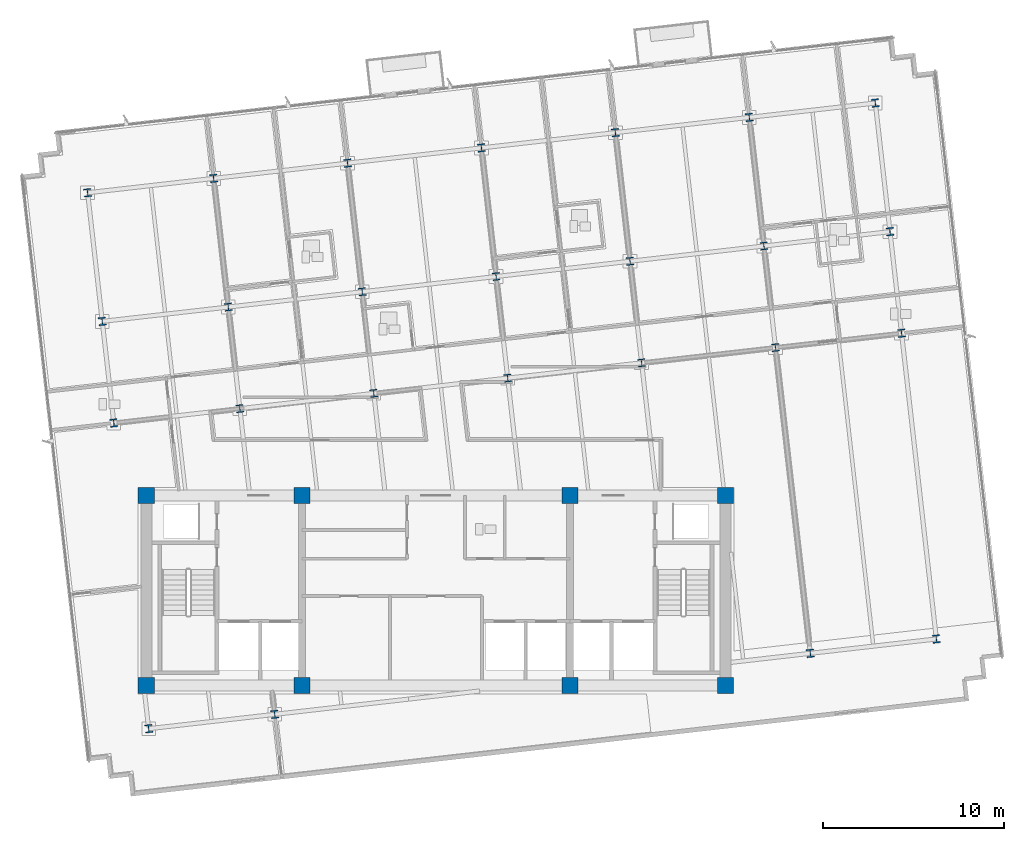
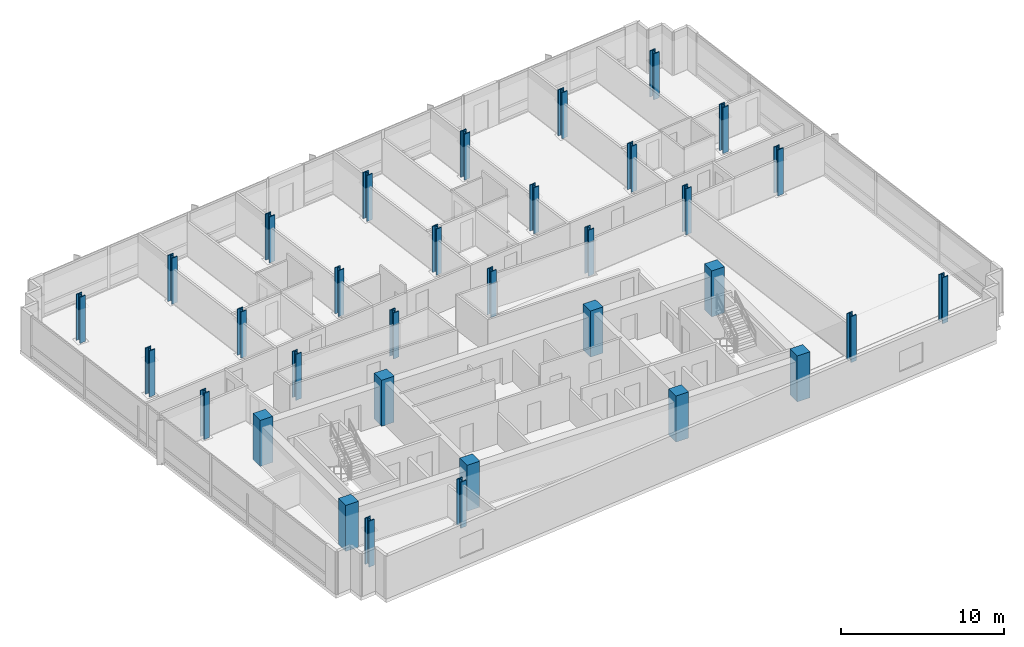
# One storey, part 1 of 16: 33 columns.
"""IFC4 building model written with IfcOpenShell, lengths in metres."""

from ifc_helpers import new_model, si_unit, direction, frame, origin, origin_2d, place, context, subcontext, project, spatial, rectangle, i_section, extrude, material, material_profile, profile_set, type_object, element, save


model = new_model("IFC4")

# Units and contexts
model_context = context("Model", 3, precision=1e-05, world=origin(), true_north=direction((0.0, 1.0)))
body_context = subcontext(model_context, "Body", "Model", "MODEL_VIEW")
ifc_project = project(units=[si_unit("LENGTHUNIT", "METRE"), si_unit("AREAUNIT", "SQUARE_METRE"), si_unit("VOLUMEUNIT", "CUBIC_METRE"), si_unit("PLANEANGLEUNIT", "RADIAN"), si_unit("MASSUNIT", "GRAM", prefix="KILO")], contexts=[model_context])

# Site, building, storey
site_placement = place(None, origin())
site = spatial("IfcSite", under=ifc_project, at=site_placement, CompositionType="ELEMENT")
building_placement = place(site_placement, origin())
building = spatial("IfcBuilding", under=site, at=building_placement, Name="Solmavex Isthmus Hotel", CompositionType="ELEMENT")
storey_placement = place(building_placement, frame((0.0, 0.0, 205.5)))
storey = spatial("IfcBuildingStorey", under=building, at=storey_placement, Name="L55", CompositionType="ELEMENT", Elevation=205.5)

# Columns
ifc_material_1 = material(Name="Concrete C50/60", Category="concrete")
ifc_material_profile_1 = material_profile(ifc_material_1, rectangle(XDim=0.89990234375, YDim=0.89990234375, at=origin_2d()), Name="RC900X900")
ifc_profile_set_1 = profile_set([ifc_material_profile_1], Name="Concrete C50/60")
column_type_1 = type_object("IfcColumnType", Name="COL-CC-900", PredefinedType="COLUMN", material=ifc_profile_set_1)
for number, where, z_axis, x_axis, name in (
    (1, (-16.0, -13.0, 0.0), (0.0, 0.0, 1.0), (1.0, 0.0, 0.0), "Core Pilaster CC-SW L55"),
    (2, (-7.39990234375, -13.0, 0.0), (0.0, 0.0, 1.0), (1.0, 0.0, 0.0), "Core Pilaster CC-S1 L55"),
    (3, (7.39990234375, -13.0, 0.0), (0.0, 0.0, 1.0), (1.0, 0.0, 0.0), "Core Pilaster CC-S2 L55"),
    (4, (16.0, -13.0, 0.0), (0.0, 0.0, 1.0), (1.0, 0.0, 0.0), "Core Pilaster CC-SE L55"),
    (5, (-16.0, -2.5, 0.0), (0.0, 0.0, 1.0), (1.0, 0.0, 0.0), "Core Pilaster CC-NW L55"),
    (6, (-7.39990234375, -2.5, 0.0), (0.0, 0.0, 1.0), (1.0, 0.0, 0.0), "Core Pilaster CC-N1 L55"),
    (7, (7.39990234375, -2.5, 0.0), (0.0, 0.0, 1.0), (1.0, 0.0, 0.0), "Core Pilaster CC-N2 L55"),
    (8, (16.0, -2.5, 0.0), (0.0, 0.0, 1.0), (1.0, 0.0, 0.0), "Core Pilaster CC-NE L55"),
):
    element("IfcColumn", number, at=place(storey_placement, frame(where, z_axis=z_axis, x_axis=x_axis)), inside=storey, type_object=column_type_1, Name=name, PredefinedType="COLUMN", context=body_context, shape_type="SweptSolid", body=[
        extrude(rectangle(XDim=0.89990234375, YDim=0.89990234375, at=origin_2d()), origin(), (0.0, 0.0, 1.0), 3.449951171875),
    ])
ifc_material_2 = material(Name="Steel ASTM A913 Grade 65", Category="steel")
ifc_material_profile_2 = material_profile(ifc_material_2, i_section(OverallWidth=0.412109375, OverallDepth=0.434814453125, WebThickness=0.035888671875, FlangeThickness=0.057373046875, FilletRadius=0.030517578125, at=origin_2d()), Name="W14X311")
ifc_profile_set_2 = profile_set([ifc_material_profile_2], Name="Steel ASTM A913 Grade 65")
column_type_2 = type_object("IfcColumnType", Name="COL-SC-W14X311", PredefinedType="COLUMN", material=ifc_profile_set_2)
for number, where, z_axis, x_axis, name in (
    (9, (-10.833984375, 2.30078125, 0.0), (0.0, 0.0, 1.0), (0.993571855677, 0.113203213768, 0.0), "Tower Column B4-U2V2 L55"),
    (10, (-11.473388671875, 7.912353515625, 0.0), (0.0, 0.0, 1.0), (0.993571855677, 0.113203213768, 0.0), "Tower Column B4-U2V3 L55"),
    (11, (-3.435791015625, 3.1435546875, 0.0), (0.0, 0.0, 1.0), (0.993571855677, 0.113203213768, 0.0), "Tower Column B4-U3V2 L55"),
    (12, (-4.0751953125, 8.75537109375, 0.0), (0.0, 0.0, 1.0), (0.993571855677, 0.113203213768, 0.0), "Tower Column B4-U3V3 L55"),
    (13, (3.962158203125, 3.986572265625, 0.0), (0.0, 0.0, 1.0), (0.993571855677, 0.113203213768, 0.0), "Tower Column B4-U4V2 L55"),
    (14, (3.322998046875, 9.59814453125, 0.0), (0.0, 0.0, 1.0), (0.993571855677, 0.113203213768, 0.0), "Tower Column B4-U4V3 L55"),
    (15, (11.3603515625, 4.829345703125, 0.0), (0.0, 0.0, 1.0), (0.993571855677, 0.113203213768, 0.0), "Tower Column B4-U5V2 L55"),
    (16, (10.720947265625, 10.441162109375, 0.0), (0.0, 0.0, 1.0), (0.993571855677, 0.113203213768, 0.0), "Tower Column B4-U5V3 L55"),
    (17, (18.758544921875, 5.67236328125, 0.0), (0.0, 0.0, 1.0), (0.993571855677, 0.113203213768, 0.0), "Tower Column B4-U6V2 L55"),
    (18, (18.119140625, 11.283935546875, 0.0), (0.0, 0.0, 1.0), (0.993571855677, 0.113203213768, 0.0), "Tower Column B4-U6V3 L55"),
):
    element("IfcColumn", number, at=place(storey_placement, frame(where, z_axis=z_axis, x_axis=x_axis)), inside=storey, type_object=column_type_2, Name=name, PredefinedType="COLUMN", context=body_context, shape_type="SweptSolid", body=[
        extrude(i_section(OverallWidth=0.412109375, OverallDepth=0.434814453125, WebThickness=0.035888671875, FlangeThickness=0.057373046875, FilletRadius=0.030517578125, at=origin_2d()), origin(), (0.0, 0.0, 1.0), 3.449951171875),
    ])
ifc_material_profile_3 = material_profile(ifc_material_2, i_section(OverallWidth=0.41845703125, OverallDepth=0.455078125, WebThickness=0.0419921875, FlangeThickness=0.067626953125, FilletRadius=0.030517578125, at=origin_2d()), Name="W14X370")
ifc_profile_set_3 = profile_set([ifc_material_profile_3], Name="Steel ASTM A913 Grade 65")
column_type_3 = type_object("IfcColumnType", Name="COL-SC-W14X370", PredefinedType="COLUMN", material=ifc_profile_set_3)
for number, where, z_axis, x_axis, name in (
    (19, (-15.87255859375, -15.38330078125, 0.0), (0.0, 0.0, 1.0), (0.993571855677, 0.113203213768, 0.0), "Tower Column B4-U1V1 L55"),
    (20, (-17.796875, 1.50732421875, 0.0), (0.0, 0.0, 1.0), (0.993571855677, 0.113203213768, 0.0), "Tower Column B4-U1V2 L55"),
    (21, (-18.436279296875, 7.119140625, 0.0), (0.0, 0.0, 1.0), (0.993571855677, 0.113203213768, 0.0), "Tower Column B4-U1V3 L55"),
    (22, (-19.245849609375, 14.22509765625, 0.0), (0.0, 0.0, 1.0), (0.993571855677, 0.113203213768, 0.0), "Tower Column B4-U1V4 L55"),
    (23, (-8.909423828125, -14.590087890625, 0.0), (0.0, 0.0, 1.0), (0.993571855677, 0.113203213768, 0.0), "Tower Column B4-U2V1 L55"),
    (24, (-12.282958984375, 15.018310546875, 0.0), (0.0, 0.0, 1.0), (0.993571855677, 0.113203213768, 0.0), "Tower Column B4-U2V4 L55"),
    (25, (-4.884765625, 15.861328125, 0.0), (0.0, 0.0, 1.0), (0.993571855677, 0.113203213768, 0.0), "Tower Column B4-U3V4 L55"),
    (26, (2.51318359375, 16.7041015625, 0.0), (0.0, 0.0, 1.0), (0.993571855677, 0.113203213768, 0.0), "Tower Column B4-U4V4 L55"),
    (27, (9.911376953125, 17.547119140625, 0.0), (0.0, 0.0, 1.0), (0.993571855677, 0.113203213768, 0.0), "Tower Column B4-U5V4 L55"),
    (28, (20.68310546875, -11.218505859375, 0.0), (0.0, 0.0, 1.0), (0.993571855677, 0.113203213768, 0.0), "Tower Column B4-U6V1 L55"),
    (29, (17.3095703125, 18.39013671875, 0.0), (0.0, 0.0, 1.0), (0.993571855677, 0.113203213768, 0.0), "Tower Column B4-U6V4 L55"),
    (30, (27.64599609375, -10.425048828125, 0.0), (0.0, 0.0, 1.0), (0.993571855677, 0.113203213768, 0.0), "Tower Column B4-U7V1 L55"),
    (31, (25.721435546875, 6.465576171875, 0.0), (0.0, 0.0, 1.0), (0.993571855677, 0.113203213768, 0.0), "Tower Column B4-U7V2 L55"),
    (32, (25.08203125, 12.077392578125, 0.0), (0.0, 0.0, 1.0), (0.993571855677, 0.113203213768, 0.0), "Tower Column B4-U7V3 L55"),
    (33, (24.2724609375, 19.183349609375, 0.0), (0.0, 0.0, 1.0), (0.993571855677, 0.113203213768, 0.0), "Tower Column B4-U7V4 L55"),
):
    element("IfcColumn", number, at=place(storey_placement, frame(where, z_axis=z_axis, x_axis=x_axis)), inside=storey, type_object=column_type_3, Name=name, PredefinedType="COLUMN", context=body_context, shape_type="SweptSolid", body=[
        extrude(i_section(OverallWidth=0.41845703125, OverallDepth=0.455078125, WebThickness=0.0419921875, FlangeThickness=0.067626953125, FilletRadius=0.030517578125, at=origin_2d()), origin(), (0.0, 0.0, 1.0), 3.449951171875),
    ])

save(model, "model.ifc")
